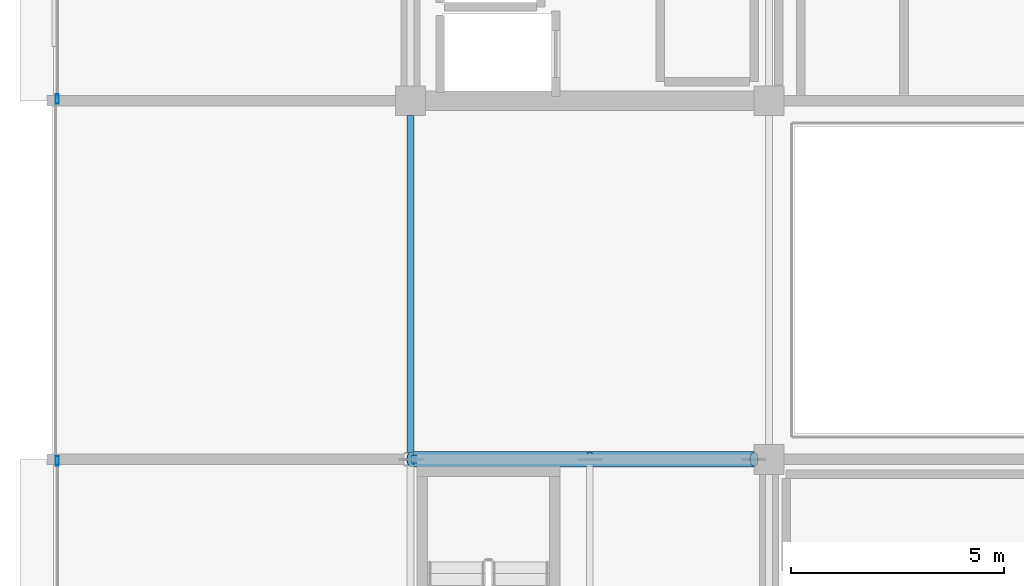
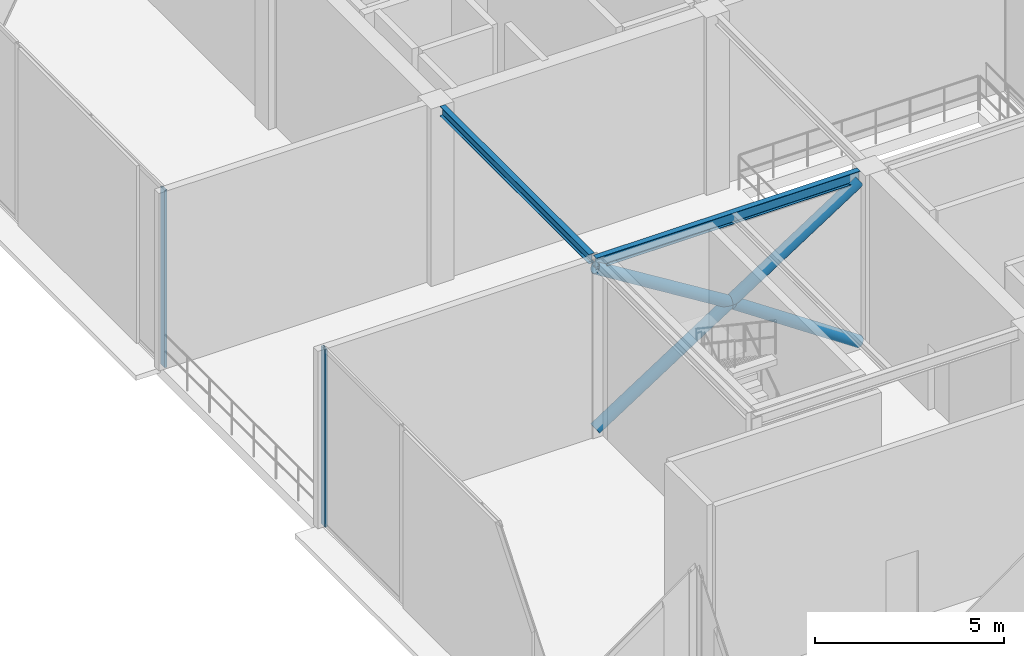
# One storey, part 6 of 19: 5 members, 2 beams, 2 elements without a shape of their own.
"""IFC4 building model written with IfcOpenShell, lengths in metres."""

from ifc_helpers import new_model, si_unit, direction, frame, origin, origin_2d, place, context, subcontext, project, spatial, hollow_rectangle, hollow_circle, i_section, extrude, material, layer, layer_set, material_profile, profile_set, type_object, element, aggregate, save


model = new_model("IFC4")

# Units and contexts
model_context = context("Model", 3, precision=1e-05, world=origin(), true_north=direction((0.0, 1.0)))
body_context = subcontext(model_context, "Body", "Model", "MODEL_VIEW")
ifc_project = project(units=[si_unit("LENGTHUNIT", "METRE"), si_unit("AREAUNIT", "SQUARE_METRE"), si_unit("VOLUMEUNIT", "CUBIC_METRE"), si_unit("PLANEANGLEUNIT", "RADIAN"), si_unit("MASSUNIT", "GRAM", prefix="KILO")], contexts=[model_context])

# Site, building, storey
site_placement = place(None, origin())
site = spatial("IfcSite", under=ifc_project, at=site_placement, CompositionType="ELEMENT")
building_placement = place(site_placement, origin())
building = spatial("IfcBuilding", under=site, at=building_placement, Name="Nerrivon Quay Data Exchange", CompositionType="ELEMENT")
storey_placement = place(building_placement, frame((0.0, 0.0, 327.0)))
storey = spatial("IfcBuildingStorey", under=building, at=storey_placement, Name="L78", CompositionType="ELEMENT", Elevation=327.0)

# Beams
ifc_material_1 = material(Name="Steel Grade 350", Category="steel")
ifc_material_profile_1 = material_profile(ifc_material_1, i_section(OverallWidth=0.172119140625, OverallDepth=0.35888671875, WebThickness=0.008056640625, FlangeThickness=0.012939453125, FilletRadius=0.011474609375, at=origin_2d()), Name="360UB56.7")
ifc_profile_set_1 = profile_set([ifc_material_profile_1], Name="Steel Grade 350")
beam_type_1 = type_object("IfcBeamType", Name="BM-J3-360UB57", PredefinedType="JOIST", material=ifc_profile_set_1)
beam_1_placement = place(storey_placement, frame((8.406005859375, 16.800048828125, 5.54541015625), z_axis=(1.0, 0.0, 0.0), x_axis=(0.0, 1.0, 0.0)))
element("IfcBeam", 1, at=beam_1_placement, inside=storey, type_object=beam_type_1, Name="L78 EW Girder Y=16.8 (8.4..16.8)", PredefinedType="JOIST", context=body_context, shape_type="SweptSolid", body=[
    extrude(i_section(OverallWidth=0.172119140625, OverallDepth=0.35888671875, WebThickness=0.008056640625, FlangeThickness=0.012939453125, FilletRadius=0.011474609375, at=origin_2d()), origin(), (0.0, 0.0, 1.0), 8.0439453125),
])
ifc_material_profile_2 = material_profile(ifc_material_1, i_section(OverallWidth=0.166015625, OverallDepth=0.306884765625, WebThickness=0.006591796875, FlangeThickness=0.01171875, FilletRadius=0.011474609375, at=origin_2d()), Name="310UB46.2")
ifc_profile_set_2 = profile_set([ifc_material_profile_2], Name="Steel Grade 350")
beam_type_2 = type_object("IfcBeamType", Name="BM-J5-310UB46", PredefinedType="JOIST", material=ifc_profile_set_2)
beam_2_placement = place(storey_placement, frame((8.39990234375, 16.95751953125, 5.571533203125), z_axis=(0.0, 1.0, 0.0), x_axis=(-1.0, 0.0, 0.0)))
element("IfcBeam", 2, at=beam_2_placement, inside=storey, type_object=beam_type_2, Name="L78 NS Girder X=8.4 (16.8..25.2)", PredefinedType="JOIST", context=body_context, shape_type="SweptSolid", body=[
    extrude(i_section(OverallWidth=0.166015625, OverallDepth=0.306884765625, WebThickness=0.006591796875, FlangeThickness=0.01171875, FilletRadius=0.011474609375, at=origin_2d()), origin(), (0.0, 0.0, 1.0), 7.892578125),
])

# Curtain wall, member
ifc_material_2 = material(Name="Anodised aluminium 6063-T6", Category="aluminium")
ifc_layer = layer(ifc_material_2, 0.22998046875)
ifc_layer_set = layer_set([ifc_layer], Name="Anodised aluminium 6063-T6")
curtain_wall_type = type_object("IfcCurtainWallType", Name="CW-SYS-05", PredefinedType="NOTDEFINED", material=ifc_layer_set)
curtain_wall_1_placement = place(storey_placement, origin())
curtain_wall_1 = element("IfcCurtainWall", 3, at=curtain_wall_1_placement, inside=storey, type_object=curtain_wall_type, Name="L78 Crown Curtain Wall 8", PredefinedType="NOTDEFINED")
ifc_material_profile_3 = material_profile(ifc_material_2, hollow_rectangle(XDim=0.074951171875, YDim=0.219970703125, WallThickness=0.00390625, at=origin_2d()), Name="ALU-MULL-220x75")
ifc_profile_set_3 = profile_set([ifc_material_profile_3], Name="Anodised aluminium 6063-T6")
member_type_1 = type_object("IfcMemberType", Name="CWM-220x75", PredefinedType="MULLION", material=ifc_profile_set_3)
member_1_placement = place(storey_placement, frame((0.1201171875, 16.762451171875, 0.0), z_axis=(0.0, 0.0, 1.0), x_axis=(-1.0, 0.0, 0.0)))
member_1 = element("IfcMember", 4, at=member_1_placement, type_object=member_type_1, Name="CW05 mullion 4", PredefinedType="MULLION", context=body_context, shape_type="SweptSolid", body=[
    extrude(hollow_rectangle(XDim=0.074951171875, YDim=0.219970703125, WallThickness=0.00390625, at=origin_2d()), origin(), (0.0, 0.0, 1.0), 5.72509765625),
])
aggregate(curtain_wall_1, [member_1])

curtain_wall_2_placement = place(storey_placement, origin())
curtain_wall_2 = element("IfcCurtainWall", 5, at=curtain_wall_2_placement, inside=storey, type_object=curtain_wall_type, Name="L78 Crown Curtain Wall 24", PredefinedType="NOTDEFINED")
member_2_placement = place(storey_placement, frame((0.1201171875, 25.237548828125, 0.0), z_axis=(0.0, 0.0, 1.0), x_axis=(-1.0, 0.0, 0.0)))
member_2 = element("IfcMember", 6, at=member_2_placement, type_object=member_type_1, Name="CW05 mullion 1", PredefinedType="MULLION", context=body_context, shape_type="SweptSolid", body=[
    extrude(hollow_rectangle(XDim=0.074951171875, YDim=0.219970703125, WallThickness=0.00390625, at=origin_2d()), origin(), (0.0, 0.0, 1.0), 5.72509765625),
])
aggregate(curtain_wall_2, [member_2])

# Members
ifc_material_3 = material(Name="Steel Grade C350L0 (350 MPa)", Category="steel")
ifc_material_profile_4 = material_profile(ifc_material_3, hollow_circle(Radius=0.177734375, WallThickness=0.01611328125, at=origin_2d()), Name="355.6x16.0CHS")
ifc_profile_set_4 = profile_set([ifc_material_profile_4], Name="Steel Grade C350L0 (350 MPa)")
member_type_2 = type_object("IfcMemberType", Name="MEM-PB1-355CHS", PredefinedType="BRACE", material=ifc_profile_set_4)
member_3_placement = place(storey_placement, frame((8.406005859375, 16.800048828125, 0.179931640625), z_axis=(0.839991930629, 0.0, 0.542598890967), x_axis=(0.0, 1.0, 0.0)))
element("IfcMember", 7, at=member_3_placement, inside=storey, type_object=member_type_2, Name="L78 structural brace PB-L78-01A", PredefinedType="BRACE", context=body_context, shape_type="SweptSolid", body=[
    extrude(hollow_circle(Radius=0.177734375, WallThickness=0.01611328125, at=origin_2d()), origin(), (0.0, 0.0, 1.0), 9.576171875),
])
member_4_placement = place(storey_placement, frame((16.449951171875, 16.800048828125, 0.179931640625), z_axis=(-0.828899249656, 0.0, 0.559397920911), x_axis=(0.0, -1.0, 0.0)))
element("IfcMember", 8, at=member_4_placement, inside=storey, type_object=member_type_2, Name="L78 structural brace PB-L78-01B1", PredefinedType="BRACE", context=body_context, shape_type="SweptSolid", body=[
    extrude(hollow_circle(Radius=0.177734375, WallThickness=0.01611328125, at=origin_2d()), origin(), (0.0, 0.0, 1.0), 4.64453125),
])
member_5_placement = place(storey_placement, frame((12.60009765625, 16.800048828125, 2.778076171875), z_axis=(-0.850123796374, 0.0, 0.526582881263), x_axis=(0.0, -1.0, 0.0)))
element("IfcMember", 9, at=member_5_placement, inside=storey, type_object=member_type_2, Name="L78 structural brace PB-L78-01B2", PredefinedType="BRACE", context=body_context, shape_type="SweptSolid", body=[
    extrude(hollow_circle(Radius=0.177734375, WallThickness=0.01611328125, at=origin_2d()), origin(), (0.0, 0.0, 1.0), 4.93359375),
])

save(model, "model.ifc")
